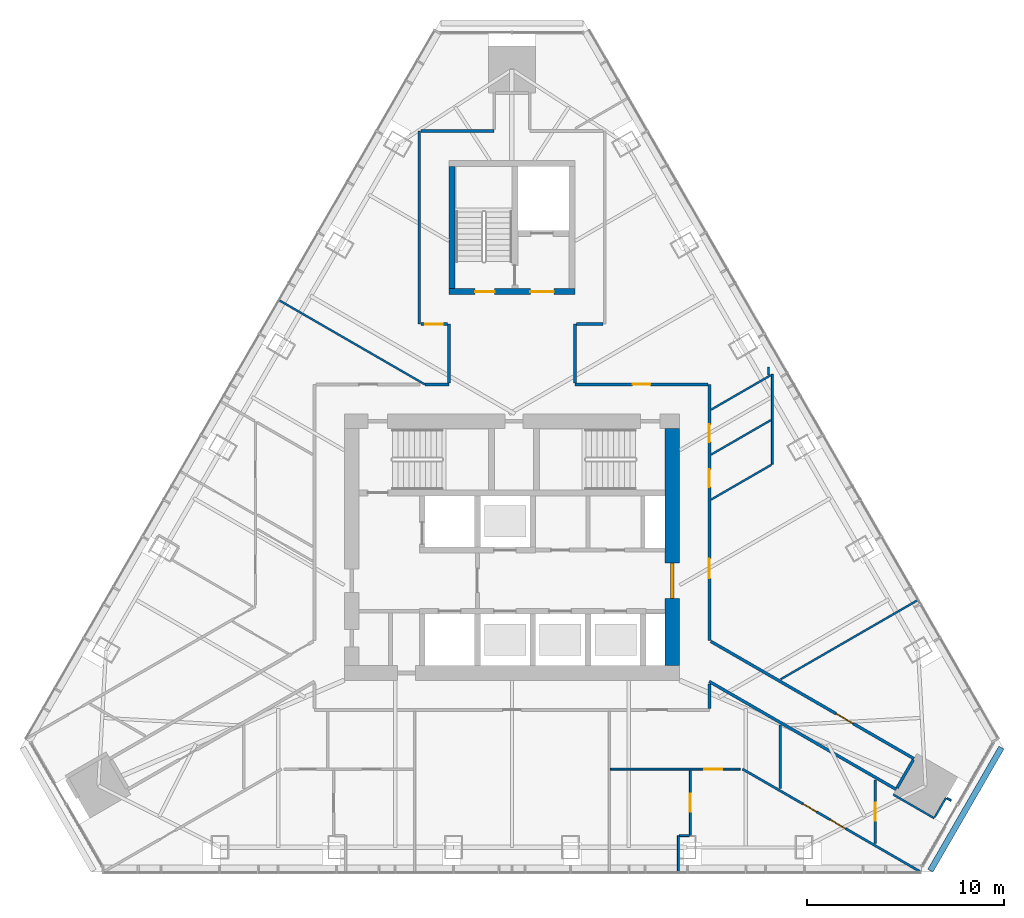
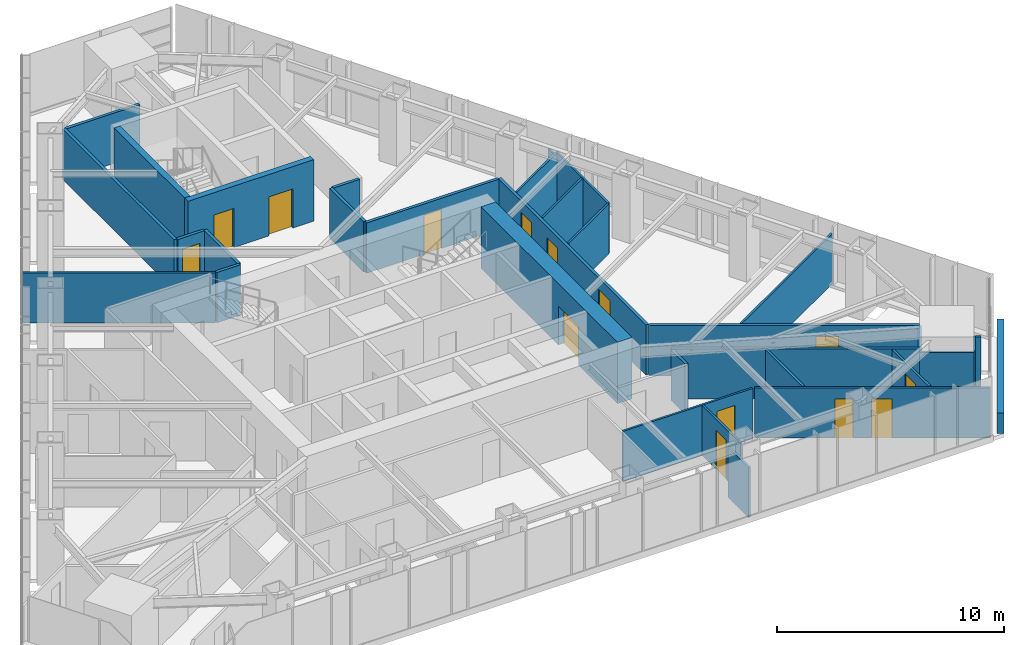
# One storey, part 12 of 15: 34 walls, 14 doors, 14 openings.
"""IFC4 building model written with IfcOpenShell, lengths in metres."""

from ifc_helpers import new_model, si_unit, direction, frame, frame_2d, origin, place, context, subcontext, project, spatial, rectangle, extrude, material, layer, layer_set, type_object, element, fill, save


model = new_model("IFC4")

# Units and contexts
model_context = context("Model", 3, precision=1e-05, world=origin(), true_north=direction((0.0, 1.0)))
body_context = subcontext(model_context, "Body", "Model", "MODEL_VIEW")
ifc_project = project(units=[si_unit("LENGTHUNIT", "METRE"), si_unit("AREAUNIT", "SQUARE_METRE"), si_unit("VOLUMEUNIT", "CUBIC_METRE"), si_unit("PLANEANGLEUNIT", "RADIAN"), si_unit("MASSUNIT", "GRAM", prefix="KILO")], contexts=[model_context])

# Site, building, storey
site_placement = place(None, origin())
site = spatial("IfcSite", under=ifc_project, at=site_placement, CompositionType="ELEMENT")
building_placement = place(site_placement, origin())
building = spatial("IfcBuilding", under=site, at=building_placement, Name="Firuza Gate Tower and Library", CompositionType="ELEMENT")
storey_placement = place(building_placement, frame((0.0, 0.0, 309.10009765625)))
storey = spatial("IfcBuildingStorey", under=building, at=storey_placement, Name="L75", CompositionType="ELEMENT", Elevation=309.10009765625)

# Wall, openings, doors
ifc_material_1 = material(Name="Concrete C60/75", Category="concrete")
ifc_layer_1 = layer(ifc_material_1, 0.300048828125)
ifc_layer_set_1 = layer_set([ifc_layer_1], Name="Core wall 300 C60/75")
wall_type_1 = type_object("IfcWallType", Name="Core wall 300 C60/75", PredefinedType="SHEAR", material=ifc_layer_set_1)
wall_1_placement = place(storey_placement, frame((71.800048828125, 87.949951171875, 0.0), z_axis=(0.0, 0.0, 1.0), x_axis=(1.0, 0.0, 0.0)))
wall_1 = element("IfcWall", 1, at=wall_1_placement, inside=storey, type_object=wall_type_1, Name="Core wall L75 18", PredefinedType="SHEAR", context=body_context, shape_type="SweptSolid", body=[
    extrude(rectangle(XDim=6.39990234375, YDim=0.300048828125, at=frame_2d((3.199951171875, 0.0))), origin(), (0.0, 0.0, 1.0), 3.2998046875),
])
opening_1_placement = place(wall_1_placement, frame((1.324951171875, 0.0, 0.0)))
opening_1 = element("IfcOpeningElement", 2, at=opening_1_placement, cuts=wall_1, Name="Opening L75-K11", PredefinedType="OPENING", context=body_context, shape_type="SweptSolid", body=[
    extrude(rectangle(XDim=1.0, YDim=2.10009765625, at=frame_2d((0.5, 1.050048828125))), frame((0.0, 0.16015625, 0.0), z_axis=(0.0, -1.0, 0.0), x_axis=(1.0, 0.0, 0.0)), (0.0, 0.0, 1.0), 0.320068359375),
])
opening_2_placement = place(wall_1_placement, frame((4.125, 0.0, 0.0)))
opening_2 = element("IfcOpeningElement", 3, at=opening_2_placement, cuts=wall_1, Name="Opening L75-K13", PredefinedType="OPENING", context=body_context, shape_type="SweptSolid", body=[
    extrude(rectangle(XDim=1.199951171875, YDim=2.10009765625, at=frame_2d((0.60009765625, 1.050048828125))), frame((0.0, 0.16015625, 0.0), z_axis=(0.0, -1.0, 0.0), x_axis=(1.0, 0.0, 0.0)), (0.0, 0.0, 1.0), 0.320068359375),
])
ifc_material_2 = material(Name="Steel", Category="steel")
door_type_1 = type_object("IfcDoorType", Name="Fire door 1000x2100 FD90", OperationType="NOTDEFINED", PredefinedType="DOOR", material=ifc_material_2)
door_1_placement = place(opening_1_placement, origin())
door_1 = element("IfcDoor", 4, at=door_1_placement, inside=storey, type_object=door_type_1, Name="Door L75-K11", OperationType="SINGLE_SWING_RIGHT", OverallHeight=2.10009765625, OverallWidth=1.0, PredefinedType="DOOR", context=body_context, shape_type="SweptSolid", body=[
    extrude(rectangle(XDim=1.0, YDim=2.10009765625, at=frame_2d((0.5, 1.050048828125))), frame((0.0, 0.02490234375, 0.0), z_axis=(0.0, -1.0, 0.0), x_axis=(1.0, 0.0, 0.0)), (0.0, 0.0, 1.0), 0.050048828125),
])
fill(opening_1, door_1)
ifc_material_3 = material(Name="Steel", Category="steel")
door_type_2 = type_object("IfcDoorType", Name="Fire door 1200x2100 FD30S", OperationType="NOTDEFINED", PredefinedType="DOOR", material=ifc_material_3)
door_2_placement = place(opening_2_placement, origin())
door_2 = element("IfcDoor", 5, at=door_2_placement, inside=storey, type_object=door_type_2, Name="Door L75-K13", OperationType="SINGLE_SWING_RIGHT", OverallHeight=2.10009765625, OverallWidth=1.199951171875, PredefinedType="DOOR", context=body_context, shape_type="SweptSolid", body=[
    extrude(rectangle(XDim=1.199951171875, YDim=2.10009765625, at=frame_2d((0.60009765625, 1.050048828125))), frame((0.0, 0.02490234375, 0.0), z_axis=(0.0, -1.0, 0.0), x_axis=(1.0, 0.0, 0.0)), (0.0, 0.0, 1.0), 0.050048828125),
])
fill(opening_2, door_2)

# Wall
wall_2_placement = place(storey_placement, frame((71.949951171875, 88.10009765625, 0.0), z_axis=(0.0, 0.0, 1.0), x_axis=(0.0, 1.0, 0.0)))
element("IfcWall", 6, at=wall_2_placement, inside=storey, type_object=wall_type_1, Name="Core wall L75 20", PredefinedType="SHEAR", context=body_context, shape_type="SweptSolid", body=[
    extrude(rectangle(XDim=6.199951171875, YDim=0.300048828125, at=frame_2d((3.10009765625, 0.0))), origin(), (0.0, 0.0, 1.0), 3.2998046875),
])

# Wall, opening, door
ifc_material_4 = material(Name="Concrete C60/75", Category="concrete")
ifc_layer_2 = layer(ifc_material_4, 0.75)
ifc_layer_set_2 = layer_set([ifc_layer_2], Name="Core wall 750 C60/75")
wall_type_2 = type_object("IfcWallType", Name="Core wall 750 C60/75", PredefinedType="SHEAR", material=ifc_layer_set_2)
wall_3_placement = place(storey_placement, frame((83.125, 69.0, 0.0), z_axis=(0.0, 0.0, 1.0), x_axis=(0.0, 1.0, 0.0)))
wall_3 = element("IfcWall", 7, at=wall_3_placement, inside=storey, type_object=wall_type_2, Name="Core wall L75 4", PredefinedType="SHEAR", context=body_context, shape_type="SweptSolid", body=[
    extrude(rectangle(XDim=12.0, YDim=0.75, at=frame_2d((6.0, 0.0))), origin(), (0.0, 0.0, 1.0), 3.2998046875),
])
opening_3_placement = place(wall_3_placement, frame((3.39990234375, 0.0, 0.0)))
opening_3 = element("IfcOpeningElement", 8, at=opening_3_placement, cuts=wall_3, Name="Opening L75-K16", PredefinedType="OPENING", context=body_context, shape_type="SweptSolid", body=[
    extrude(rectangle(XDim=1.800048828125, YDim=2.10009765625, at=frame_2d((0.89990234375, 1.050048828125))), frame((0.0, 0.385009765625, 0.0), z_axis=(0.0, -1.0, 0.0), x_axis=(1.0, 0.0, 0.0)), (0.0, 0.0, 1.0), 0.77001953125),
])
ifc_material_5 = material(Name="Steel", Category="steel")
door_type_3 = type_object("IfcDoorType", Name="Fire door 1800x2100 FD30S", OperationType="NOTDEFINED", PredefinedType="DOOR", material=ifc_material_5)
door_3_placement = place(opening_3_placement, origin())
door_3 = element("IfcDoor", 9, at=door_3_placement, inside=storey, type_object=door_type_3, Name="Door L75-K16", OperationType="SINGLE_SWING_LEFT", OverallHeight=2.10009765625, OverallWidth=1.800048828125, PredefinedType="DOOR", context=body_context, shape_type="SweptSolid", body=[
    extrude(rectangle(XDim=1.800048828125, YDim=2.10009765625, at=frame_2d((0.89990234375, 1.050048828125))), frame((0.0, 0.094970703125, 0.0), z_axis=(0.0, -1.0, 0.0), x_axis=(1.0, 0.0, 0.0)), (0.0, 0.0, 1.0), 0.18994140625),
])
fill(opening_3, door_3)

ifc_material_6 = material(Name="Gypsum board partition")
ifc_layer_3 = layer(ifc_material_6, 0.14990234375)
ifc_layer_set_3 = layer_set([ifc_layer_3], Name="Corridor wall 150 double board on steel studs")
wall_type_3 = type_object("IfcWallType", Name="Corridor wall 150 double board on steel studs", PredefinedType="PARTITIONING", material=ifc_layer_set_3)
wall_4_placement = place(storey_placement, frame((78.199951171875, 83.25, 0.0), z_axis=(0.0, 0.0, 1.0), x_axis=(1.0, 0.0, 0.0)))
wall_4 = element("IfcWall", 10, at=wall_4_placement, inside=storey, type_object=wall_type_3, Name="f:L75:w006", PredefinedType="PARTITIONING", context=body_context, shape_type="SweptSolid", body=[
    extrude(rectangle(XDim=6.72314453125, YDim=0.14990234375, at=frame_2d((3.361572265625, 0.0))), origin(), (0.0, 0.0, 1.0), 2.699951171875),
])
opening_4_placement = place(wall_4_placement, frame((2.911376953125, 0.0, 0.0)))
opening_4 = element("IfcOpeningElement", 11, at=opening_4_placement, cuts=wall_4, Name="Opening L75-07", PredefinedType="OPENING", context=body_context, shape_type="SweptSolid", body=[
    extrude(rectangle(XDim=0.89990234375, YDim=2.10009765625, at=frame_2d((0.449951171875, 1.050048828125))), frame((0.0, 0.0849609375, 0.0), z_axis=(0.0, -1.0, 0.0), x_axis=(1.0, 0.0, 0.0)), (0.0, 0.0, 1.0), 0.169921875),
])
ifc_material_7 = material(Name="Steel door and timber leaf", Category="steel")
door_type_4 = type_object("IfcDoorType", Name="Fire door 900 x 2100 steel frame, timber leaf", OperationType="NOTDEFINED", PredefinedType="DOOR", material=ifc_material_7)
door_4_placement = place(opening_4_placement, origin())
door_4 = element("IfcDoor", 12, at=door_4_placement, inside=storey, type_object=door_type_4, Name="f:L75:d007", OperationType="SINGLE_SWING_RIGHT", OverallHeight=2.10009765625, OverallWidth=0.89990234375, PredefinedType="DOOR", context=body_context, shape_type="SweptSolid", body=[
    extrude(rectangle(XDim=0.89990234375, YDim=2.10009765625, at=frame_2d((0.449951171875, 1.050048828125))), frame((0.0, 0.02490234375, 0.0), z_axis=(0.0, -1.0, 0.0), x_axis=(1.0, 0.0, 0.0)), (0.0, 0.0, 1.0), 0.050048828125),
])
fill(opening_4, door_4)

wall_5_placement = place(storey_placement, frame((70.37548828125, 86.300048828125, 0.0), z_axis=(0.0, 0.0, 1.0), x_axis=(1.0, 0.0, 0.0)))
wall_5 = element("IfcWall", 13, at=wall_5_placement, inside=storey, type_object=wall_type_3, Name="f:L75:w007", PredefinedType="PARTITIONING", context=body_context, shape_type="SweptSolid", body=[
    extrude(rectangle(XDim=1.349365234375, YDim=0.14990234375, at=frame_2d((0.6748046875, 0.0))), origin(), (0.0, 0.0, 1.0), 2.699951171875),
])
opening_5_placement = place(wall_5_placement, frame((0.224609375, 0.0, 0.0)))
opening_5 = element("IfcOpeningElement", 14, at=opening_5_placement, cuts=wall_5, Name="Opening L75-08", PredefinedType="OPENING", context=body_context, shape_type="SweptSolid", body=[
    extrude(rectangle(XDim=0.89990234375, YDim=2.10009765625, at=frame_2d((0.449951171875, 1.050048828125))), frame((0.0, 0.0849609375, 0.0), z_axis=(0.0, -1.0, 0.0), x_axis=(1.0, 0.0, 0.0)), (0.0, 0.0, 1.0), 0.169921875),
])
door_5_placement = place(opening_5_placement, origin())
door_5 = element("IfcDoor", 15, at=door_5_placement, inside=storey, type_object=door_type_4, Name="f:L75:d008", OperationType="SINGLE_SWING_LEFT", OverallHeight=2.10009765625, OverallWidth=0.89990234375, PredefinedType="DOOR", context=body_context, shape_type="SweptSolid", body=[
    extrude(rectangle(XDim=0.89990234375, YDim=2.10009765625, at=frame_2d((0.449951171875, 1.050048828125))), frame((0.0, 0.02490234375, 0.0), z_axis=(0.0, -1.0, 0.0), x_axis=(1.0, 0.0, 0.0)), (0.0, 0.0, 1.0), 0.050048828125),
])
fill(opening_5, door_5)

# Walls
wall_6_placement = place(storey_placement, frame((78.275146484375, 86.300048828125, 0.0), z_axis=(0.0, 0.0, 1.0), x_axis=(1.0, 0.0, 0.0)))
element("IfcWall", 16, at=wall_6_placement, inside=storey, type_object=wall_type_3, Name="f:L75:w008", PredefinedType="PARTITIONING", context=body_context, shape_type="SweptSolid", body=[
    extrude(rectangle(XDim=1.347900390625, YDim=0.14990234375, at=frame_2d((0.673828125, 0.0))), origin(), (0.0, 0.0, 1.0), 2.699951171875),
])
wall_7_placement = place(storey_placement, frame((70.37548828125, 96.10009765625, 0.0), z_axis=(0.0, 0.0, 1.0), x_axis=(1.0, 0.0, 0.0)))
element("IfcWall", 17, at=wall_7_placement, inside=storey, type_object=wall_type_3, Name="f:L75:w009", PredefinedType="PARTITIONING", context=body_context, shape_type="SweptSolid", body=[
    extrude(rectangle(XDim=3.724609375, YDim=0.14990234375, at=frame_2d((1.8623046875, 0.0))), origin(), (0.0, 0.0, 1.0), 2.699951171875),
])
wall_8_placement = place(storey_placement, frame((94.512451171875, 62.788330078125, 0.0), z_axis=(0.0, 0.0, 1.0), x_axis=(0.500052415518, 0.865995139556, 0.0)))
element("IfcWall", 18, at=wall_8_placement, inside=storey, type_object=wall_type_3, Name="f:L75:w023", PredefinedType="PARTITIONING", context=body_context, shape_type="SweptSolid", body=[
    extrude(rectangle(XDim=1.643798828125, YDim=0.14990234375, at=frame_2d((0.82177734375, 0.0))), origin(), (0.0, 0.0, 1.0), 2.697021484375),
])
wall_9_placement = place(storey_placement, frame((85.0, 66.824951171875, 0.0), z_axis=(0.0, 0.0, 1.0), x_axis=(0.0, 1.0, 0.0)))
element("IfcWall", 19, at=wall_9_placement, inside=storey, type_object=wall_type_3, Name="f:L75:w030", PredefinedType="PARTITIONING", context=body_context, shape_type="SweptSolid", body=[
    extrude(rectangle(XDim=1.225830078125, YDim=0.14990234375, at=frame_2d((0.61279296875, 0.0))), origin(), (0.0, 0.0, 1.0), 2.697021484375),
])

# Wall, openings, doors
wall_10_placement = place(storey_placement, frame((85.0, 83.248046875, 0.0), z_axis=(0.0, 0.0, 1.0), x_axis=(0.0, -1.0, 0.0)))
wall_10 = element("IfcWall", 20, at=wall_10_placement, inside=storey, type_object=wall_type_3, Name="f:L75:w031", PredefinedType="PARTITIONING", context=body_context, shape_type="SweptSolid", body=[
    extrude(rectangle(XDim=12.982421875, YDim=0.14990234375, at=frame_2d((6.4912109375, 0.0))), origin(), (0.0, 0.0, 1.0), 2.699951171875),
])
opening_6_placement = place(wall_10_placement, frame((2.024169921875, 0.0, 0.0)))
opening_6 = element("IfcOpeningElement", 21, at=opening_6_placement, cuts=wall_10, Name="Opening L75-15", PredefinedType="OPENING", context=body_context, shape_type="SweptSolid", body=[
    extrude(rectangle(XDim=0.89990234375, YDim=2.10009765625, at=frame_2d((0.449951171875, 1.050048828125))), frame((0.0, 0.0849609375, 0.0), z_axis=(0.0, -1.0, 0.0), x_axis=(1.0, 0.0, 0.0)), (0.0, 0.0, 1.0), 0.169921875),
])
opening_7_placement = place(wall_10_placement, frame((4.302734375, 0.0, 0.0)))
opening_7 = element("IfcOpeningElement", 22, at=opening_7_placement, cuts=wall_10, Name="Opening L75-16", PredefinedType="OPENING", context=body_context, shape_type="SweptSolid", body=[
    extrude(rectangle(XDim=0.89990234375, YDim=2.10009765625, at=frame_2d((0.449951171875, 1.050048828125))), frame((0.0, 0.0849609375, 0.0), z_axis=(0.0, -1.0, 0.0), x_axis=(1.0, 0.0, 0.0)), (0.0, 0.0, 1.0), 0.169921875),
])
opening_8_placement = place(wall_10_placement, frame((8.835693359375, 0.0, 0.0)))
opening_8 = element("IfcOpeningElement", 23, at=opening_8_placement, cuts=wall_10, Name="Opening L75-17", PredefinedType="OPENING", context=body_context, shape_type="SweptSolid", body=[
    extrude(rectangle(XDim=1.0, YDim=2.10009765625, at=frame_2d((0.5, 1.050048828125))), frame((0.0, 0.0849609375, 0.0), z_axis=(0.0, -1.0, 0.0), x_axis=(1.0, 0.0, 0.0)), (0.0, 0.0, 1.0), 0.169921875),
])
ifc_material_8 = material(Name="Steel door and timber leaf", Category="steel")
door_type_5 = type_object("IfcDoorType", Name="Fire door 1000 x 2100 steel frame, timber leaf", OperationType="NOTDEFINED", PredefinedType="DOOR", material=ifc_material_8)
door_6_placement = place(opening_8_placement, origin())
door_6 = element("IfcDoor", 24, at=door_6_placement, inside=storey, type_object=door_type_5, Name="f:L75:d017", OperationType="SINGLE_SWING_RIGHT", OverallHeight=2.10009765625, OverallWidth=1.0, PredefinedType="DOOR", context=body_context, shape_type="SweptSolid", body=[
    extrude(rectangle(XDim=1.0, YDim=2.10009765625, at=frame_2d((0.5, 1.050048828125))), frame((0.0, 0.02490234375, 0.0), z_axis=(0.0, -1.0, 0.0), x_axis=(1.0, 0.0, 0.0)), (0.0, 0.0, 1.0), 0.050048828125),
])
fill(opening_8, door_6)
door_7_placement = place(opening_6_placement, origin())
door_7 = element("IfcDoor", 25, at=door_7_placement, inside=storey, type_object=door_type_4, Name="f:L75:d015", OperationType="SINGLE_SWING_RIGHT", OverallHeight=2.10009765625, OverallWidth=0.89990234375, PredefinedType="DOOR", context=body_context, shape_type="SweptSolid", body=[
    extrude(rectangle(XDim=0.89990234375, YDim=2.10009765625, at=frame_2d((0.449951171875, 1.050048828125))), frame((0.0, 0.02490234375, 0.0), z_axis=(0.0, -1.0, 0.0), x_axis=(1.0, 0.0, 0.0)), (0.0, 0.0, 1.0), 0.050048828125),
])
fill(opening_6, door_7)
door_8_placement = place(opening_7_placement, origin())
door_8 = element("IfcDoor", 26, at=door_8_placement, inside=storey, type_object=door_type_4, Name="f:L75:d016", OperationType="SINGLE_SWING_LEFT", OverallHeight=2.10009765625, OverallWidth=0.89990234375, PredefinedType="DOOR", context=body_context, shape_type="SweptSolid", body=[
    extrude(rectangle(XDim=0.89990234375, YDim=2.10009765625, at=frame_2d((0.449951171875, 1.050048828125))), frame((0.0, 0.02490234375, 0.0), z_axis=(0.0, -1.0, 0.0), x_axis=(1.0, 0.0, 0.0)), (0.0, 0.0, 1.0), 0.050048828125),
])
fill(opening_7, door_8)

# Walls
for number, where, z_axis, x_axis, name in (
    (27, (78.199951171875, 83.324951171875, 0.0), (0.0, 0.0, 1.0), (0.0, 1.0, 0.0), "f:L75:w036"),
    (28, (71.800048828125, 83.324951171875, 0.0), (0.0, 0.0, 1.0), (0.0, 1.0, 0.0), "f:L75:w039"),
):
    element("IfcWall", number, at=place(storey_placement, frame(where, z_axis=z_axis, x_axis=x_axis)), inside=storey, type_object=wall_type_3, Name=name, PredefinedType="PARTITIONING", context=body_context, shape_type="SweptSolid", body=[
        extrude(rectangle(XDim=2.97509765625, YDim=0.14990234375, at=frame_2d((1.487548828125, 0.0))), origin(), (0.0, 0.0, 1.0), 2.699951171875),
    ])
wall_11_placement = place(storey_placement, frame((70.300048828125, 86.300537109375, 0.0), z_axis=(0.0, 0.0, 1.0), x_axis=(0.0, 1.0, 0.0)))
element("IfcWall", 29, at=wall_11_placement, inside=storey, type_object=wall_type_3, Name="f:L75:w040", PredefinedType="PARTITIONING", context=body_context, shape_type="SweptSolid", body=[
    extrude(rectangle(XDim=9.798828125, YDim=0.14990234375, at=frame_2d((4.8994140625, 0.0))), origin(), (0.0, 0.0, 1.0), 2.699951171875),
])

# Wall, opening, door
wall_12_placement = place(storey_placement, frame((85.074951171875, 70.222412109375, 0.0), z_axis=(0.0, 0.0, 1.0), x_axis=(0.866032051089, -0.499988486354, 0.0)))
wall_12 = element("IfcWall", 30, at=wall_12_placement, inside=storey, type_object=wall_type_3, Name="f:L75:w052", PredefinedType="PARTITIONING", context=body_context, shape_type="SweptSolid", body=[
    extrude(rectangle(XDim=11.889404296875, YDim=0.14990234375, at=frame_2d((5.94482421875, 0.0))), origin(), (0.0, 0.0, 1.0), 2.699951171875),
])
opening_9_placement = place(wall_12_placement, frame((7.326416015625, 0.0, 0.0)))
opening_9 = element("IfcOpeningElement", 31, at=opening_9_placement, cuts=wall_12, Name="Opening L75-22", PredefinedType="OPENING", context=body_context, shape_type="SweptSolid", body=[
    extrude(rectangle(XDim=1.0, YDim=2.10009765625, at=frame_2d((0.5, 1.050048828125))), frame((0.0, 0.0849609375, 0.0), z_axis=(0.0, -1.0, 0.0), x_axis=(1.0, 0.0, 0.0)), (0.0, 0.0, 1.0), 0.169921875),
])
door_9_placement = place(opening_9_placement, origin())
door_9 = element("IfcDoor", 32, at=door_9_placement, inside=storey, type_object=door_type_5, Name="f:L75:d022", OperationType="SINGLE_SWING_LEFT", OverallHeight=2.10009765625, OverallWidth=1.0, PredefinedType="DOOR", context=body_context, shape_type="SweptSolid", body=[
    extrude(rectangle(XDim=1.0, YDim=2.10009765625, at=frame_2d((0.5, 1.050048828125))), frame((0.0, 0.02490234375, 0.0), z_axis=(0.0, -1.0, 0.0), x_axis=(1.0, 0.0, 0.0)), (0.0, 0.0, 1.0), 0.050048828125),
])
fill(opening_9, door_9)

# Walls
wall_13_placement = place(storey_placement, frame((94.471923828125, 62.71875, 0.0), z_axis=(0.0, 0.0, 1.0), x_axis=(-0.866029834468, 0.499992325753, 0.0)))
element("IfcWall", 33, at=wall_13_placement, inside=storey, type_object=wall_type_3, Name="f:L75:w054", PredefinedType="PARTITIONING", context=body_context, shape_type="SweptSolid", body=[
    extrude(rectangle(XDim=10.937255859375, YDim=0.14990234375, at=frame_2d((5.46875, 0.0))), origin(), (0.0, 0.0, 1.0), 2.697021484375),
])
wall_14_placement = place(storey_placement, frame((70.60205078125, 83.25, 0.0), z_axis=(0.0, 0.0, 1.0), x_axis=(1.0, 0.0, 0.0)))
element("IfcWall", 34, at=wall_14_placement, inside=storey, type_object=wall_type_3, Name="f:L75:w065", PredefinedType="PARTITIONING", context=body_context, shape_type="SweptSolid", body=[
    extrude(rectangle(XDim=1.197998046875, YDim=0.14990234375, at=frame_2d((0.59912109375, 0.0))), origin(), (0.0, 0.0, 1.0), 2.699951171875),
])
ifc_material_9 = material(Name="Gypsum board partition")
ifc_layer_4 = layer(ifc_material_9, 0.10009765625)
ifc_layer_set_4 = layer_set([ifc_layer_4], Name="Partition 100 gypsum board on steel studs")
wall_type_4 = type_object("IfcWallType", Name="Partition 100 gypsum board on steel studs", PredefinedType="PARTITIONING", material=ifc_layer_set_4)
wall_15_placement = place(storey_placement, frame((83.48046875, 60.3798828125, 0.0), z_axis=(0.0, 0.0, 1.0), x_axis=(1.0, 0.0, 0.0)))
element("IfcWall", 35, at=wall_15_placement, inside=storey, type_object=wall_type_4, Name="f:L75:w001", PredefinedType="PARTITIONING", context=body_context, shape_type="SweptSolid", body=[
    extrude(rectangle(XDim=0.509033203125, YDim=0.10009765625, at=frame_2d((0.25439453125, 0.0))), origin(), (0.0, 0.0, 1.0), 2.699951171875),
])

# Wall, opening, door
wall_16_placement = place(storey_placement, frame((86.565673828125, 63.75, 0.0), z_axis=(0.0, 0.0, 1.0), x_axis=(-1.0, 0.0, 0.0)))
wall_16 = element("IfcWall", 36, at=wall_16_placement, inside=storey, type_object=wall_type_4, Name="f:L75:w003", PredefinedType="PARTITIONING", context=body_context, shape_type="SweptSolid", body=[
    extrude(rectangle(XDim=6.582275390625, YDim=0.10009765625, at=frame_2d((3.291015625, 0.0))), origin(), (0.0, 0.0, 1.0), 2.699951171875),
])
opening_10_placement = place(wall_16_placement, frame((0.91259765625, 0.0, 0.0)))
opening_10 = element("IfcOpeningElement", 37, at=opening_10_placement, cuts=wall_16, Name="Opening L75-03", PredefinedType="OPENING", context=body_context, shape_type="SweptSolid", body=[
    extrude(rectangle(XDim=0.89990234375, YDim=2.10009765625, at=frame_2d((0.449951171875, 1.050048828125))), frame((0.0, 0.06005859375, 0.0), z_axis=(0.0, -1.0, 0.0), x_axis=(1.0, 0.0, 0.0)), (0.0, 0.0, 1.0), 0.1201171875),
])
ifc_material_10 = material(Name="Timber door", Category="wood")
door_type_6 = type_object("IfcDoorType", Name="Door 900 x 2100 timber leaf", OperationType="NOTDEFINED", PredefinedType="DOOR", material=ifc_material_10)
door_10_placement = place(opening_10_placement, origin())
door_10 = element("IfcDoor", 38, at=door_10_placement, inside=storey, type_object=door_type_6, Name="f:L75:d003", OperationType="SINGLE_SWING_RIGHT", OverallHeight=2.10009765625, OverallWidth=0.89990234375, PredefinedType="DOOR", context=body_context, shape_type="SweptSolid", body=[
    extrude(rectangle(XDim=0.89990234375, YDim=2.10009765625, at=frame_2d((0.449951171875, 1.050048828125))), frame((0.0, 0.02490234375, 0.0), z_axis=(0.0, -1.0, 0.0), x_axis=(1.0, 0.0, 0.0)), (0.0, 0.0, 1.0), 0.050048828125),
])
fill(opening_10, door_10)

# Walls
wall_17_placement = place(storey_placement, frame((88.611083984375, 68.297607421875, 0.0), z_axis=(0.0, 0.0, 1.0), x_axis=(0.866017435768, 0.500013800756, 0.0)))
element("IfcWall", 39, at=wall_17_placement, inside=storey, type_object=wall_type_4, Name="f:L75:w012", PredefinedType="PARTITIONING", context=body_context, shape_type="SweptSolid", body=[
    extrude(rectangle(XDim=8.003173828125, YDim=0.10009765625, at=frame_2d((4.00146484375, 0.0))), origin(), (0.0, 0.0, 1.0), 2.68798828125),
])
wall_18_placement = place(storey_placement, frame((85.100830078125, 77.4140625, 0.0), z_axis=(0.0, 0.0, 1.0), x_axis=(0.866041242935, 0.499972564782, 0.0)))
element("IfcWall", 40, at=wall_18_placement, inside=storey, type_object=wall_type_4, Name="f:L75:w014", PredefinedType="PARTITIONING", context=body_context, shape_type="SweptSolid", body=[
    extrude(rectangle(XDim=3.520751953125, YDim=0.10009765625, at=frame_2d((1.76025390625, 0.0))), origin(), (0.0, 0.0, 1.0), 2.699951171875),
])
wall_19_placement = place(storey_placement, frame((85.10107421875, 79.6923828125, 0.0), z_axis=(0.0, 0.0, 1.0), x_axis=(0.866017863565, 0.500013059815, 0.0)))
element("IfcWall", 41, at=wall_19_placement, inside=storey, type_object=wall_type_4, Name="f:L75:w015", PredefinedType="PARTITIONING", context=body_context, shape_type="SweptSolid", body=[
    extrude(rectangle(XDim=3.49072265625, YDim=0.10009765625, at=frame_2d((1.745361328125, 0.0))), origin(), (0.0, 0.0, 1.0), 2.699951171875),
])
wall_20_placement = place(storey_placement, frame((85.100830078125, 81.971435546875, 0.0), z_axis=(0.0, 0.0, 1.0), x_axis=(0.866017863565, 0.500013059815, 0.0)))
element("IfcWall", 42, at=wall_20_placement, inside=storey, type_object=wall_type_4, Name="f:L75:w018", PredefinedType="PARTITIONING", context=body_context, shape_type="SweptSolid", body=[
    extrude(rectangle(XDim=3.49072265625, YDim=0.10009765625, at=frame_2d((1.745361328125, 0.0))), origin(), (0.0, 0.0, 1.0), 2.68798828125),
])
wall_21_placement = place(storey_placement, frame((96.42578125, 61.302490234375, 0.0), z_axis=(0.0, 0.0, 1.0), x_axis=(0.499955427682, 0.866051136095, 0.0)))
element("IfcWall", 43, at=wall_21_placement, inside=storey, type_object=wall_type_4, Name="f:L75:w022", PredefinedType="PARTITIONING", context=body_context, shape_type="SweptSolid", body=[
    extrude(rectangle(XDim=1.14892578125, YDim=0.10009765625, at=frame_2d((0.574462890625, 0.0))), origin(), (0.0, 0.0, 1.0), 2.699951171875),
])
wall_22_placement = place(storey_placement, frame((88.199951171875, 79.203125, 0.0), z_axis=(0.0, 0.0, 1.0), x_axis=(0.0, 1.0, 0.0)))
element("IfcWall", 44, at=wall_22_placement, inside=storey, type_object=wall_type_4, Name="f:L75:w028", PredefinedType="PARTITIONING", context=body_context, shape_type="SweptSolid", body=[
    extrude(rectangle(XDim=4.55712890625, YDim=0.10009765625, at=frame_2d((2.278564453125, 0.0))), origin(), (0.0, 0.0, 1.0), 2.68798828125),
])
wall_23_placement = place(storey_placement, frame((88.0, 83.732666015625, 0.0), z_axis=(0.0, 0.0, 1.0), x_axis=(0.0, 1.0, 0.0)))
element("IfcWall", 45, at=wall_23_placement, inside=storey, type_object=wall_type_4, Name="f:L75:w029", PredefinedType="PARTITIONING", context=body_context, shape_type="SweptSolid", body=[
    extrude(rectangle(XDim=0.389892578125, YDim=0.10009765625, at=frame_2d((0.19482421875, 0.0))), origin(), (0.0, 0.0, 1.0), 2.699951171875),
])

# Wall, opening, door
wall_24_placement = place(storey_placement, frame((84.0400390625, 60.380859375, 0.0), z_axis=(0.0, 0.0, 1.0), x_axis=(0.0, 1.0, 0.0)))
wall_24 = element("IfcWall", 46, at=wall_24_placement, inside=storey, type_object=wall_type_4, Name="f:L75:w032", PredefinedType="PARTITIONING", context=body_context, shape_type="SweptSolid", body=[
    extrude(rectangle(XDim=3.319091796875, YDim=0.10009765625, at=frame_2d((1.65966796875, 0.0))), origin(), (0.0, 0.0, 1.0), 2.699951171875),
])
opening_11_placement = place(wall_24_placement, frame((1.20947265625, 0.0, 0.0)))
opening_11 = element("IfcOpeningElement", 47, at=opening_11_placement, cuts=wall_24, Name="Opening L75-18", PredefinedType="OPENING", context=body_context, shape_type="SweptSolid", body=[
    extrude(rectangle(XDim=0.89990234375, YDim=2.10009765625, at=frame_2d((0.449951171875, 1.050048828125))), frame((0.0, 0.06005859375, 0.0), z_axis=(0.0, -1.0, 0.0), x_axis=(1.0, 0.0, 0.0)), (0.0, 0.0, 1.0), 0.1201171875),
])
door_11_placement = place(opening_11_placement, origin())
door_11 = element("IfcDoor", 48, at=door_11_placement, inside=storey, type_object=door_type_6, Name="f:L75:d018", OperationType="SINGLE_SWING_LEFT", OverallHeight=2.10009765625, OverallWidth=0.89990234375, PredefinedType="DOOR", context=body_context, shape_type="SweptSolid", body=[
    extrude(rectangle(XDim=0.89990234375, YDim=2.10009765625, at=frame_2d((0.449951171875, 1.050048828125))), frame((0.0, 0.02490234375, 0.0), z_axis=(0.0, -1.0, 0.0), x_axis=(1.0, 0.0, 0.0)), (0.0, 0.0, 1.0), 0.050048828125),
])
fill(opening_11, door_11)

# Walls
wall_25_placement = place(storey_placement, frame((83.429931640625, 58.560302734375, 0.0), z_axis=(0.0, 0.0, 1.0), x_axis=(0.0, 1.0, 0.0)))
element("IfcWall", 49, at=wall_25_placement, inside=storey, type_object=wall_type_4, Name="f:L75:w033", PredefinedType="PARTITIONING", context=body_context, shape_type="SweptSolid", body=[
    extrude(rectangle(XDim=1.819580078125, YDim=0.10009765625, at=frame_2d((0.90966796875, 0.0))), origin(), (0.0, 0.0, 1.0), 2.68798828125),
])
wall_26_placement = place(storey_placement, frame((70.5771484375, 83.249755859375, 0.0), z_axis=(0.0, 0.0, 1.0), x_axis=(-0.866024577697, 0.500001430823, 0.0)))
element("IfcWall", 50, at=wall_26_placement, inside=storey, type_object=wall_type_4, Name="f:L75:w051", PredefinedType="PARTITIONING", context=body_context, shape_type="SweptSolid", body=[
    extrude(rectangle(XDim=8.484375, YDim=0.10009765625, at=frame_2d((4.2421875, 0.0))), origin(), (0.0, 0.0, 1.0), 2.68798828125),
])
wall_27_placement = place(storey_placement, frame((97.26025390625, 62.148193359375, 0.0), z_axis=(0.0, 0.0, 1.0), x_axis=(-0.866006330792, 0.500033033937, 0.0)))
element("IfcWall", 51, at=wall_27_placement, inside=storey, type_object=wall_type_4, Name="f:L75:w053", PredefinedType="PARTITIONING", context=body_context, shape_type="SweptSolid", body=[
    extrude(rectangle(XDim=0.24951171875, YDim=0.10009765625, at=frame_2d((0.124755859375, 0.0))), origin(), (0.0, 0.0, 1.0), 2.699951171875),
])
wall_28_placement = place(storey_placement, frame((96.39990234375, 61.25927734375, 0.0), z_axis=(0.0, 0.0, 1.0), x_axis=(-0.866011011868, 0.500024926702, 0.0)))
element("IfcWall", 52, at=wall_28_placement, inside=storey, type_object=wall_type_4, Name="f:L75:w056", PredefinedType="PARTITIONING", context=body_context, shape_type="SweptSolid", body=[
    extrude(rectangle(XDim=2.39892578125, YDim=0.10009765625, at=frame_2d((1.199462890625, 0.0))), origin(), (0.0, 0.0, 1.0), 2.699951171875),
])
ifc_material_11 = material(Name="Concrete C40/50", Category="concrete")
ifc_layer_5 = layer(ifc_material_11, 0.300048828125)
ifc_layer_set_5 = layer_set([ifc_layer_5], Name="Terrace parapet 300")
wall_type_5 = type_object("IfcWallType", Name="Terrace parapet 300", PredefinedType="PARAPET", material=ifc_layer_set_5)
wall_29_placement = place(storey_placement, frame((96.2060546875, 58.599853515625, 0.0), z_axis=(0.0, 0.0, 1.0), x_axis=(0.500012057535, 0.866018442252, 0.0)))
element("IfcWall", 53, at=wall_29_placement, inside=storey, type_object=wall_type_5, Name="Parapet L75 5", PredefinedType="PARAPET", context=body_context, shape_type="SweptSolid", body=[
    extrude(rectangle(XDim=7.199951171875, YDim=0.300048828125, at=frame_2d((3.60009765625, 0.0))), origin(), (0.0, 0.0, 1.0), 1.099853515625),
])

# Wall, opening, door
ifc_material_12 = material(Name="Gypsum board partition")
ifc_layer_6 = layer(ifc_material_12, 0.1201171875)
ifc_layer_set_6 = layer_set([ifc_layer_6], Name="Wet-area partition 120 moisture-resistant board")
wall_type_6 = type_object("IfcWallType", Name="Wet-area partition 120 moisture-resistant board", PredefinedType="PARTITIONING", material=ifc_layer_set_6)
wall_30_placement = place(storey_placement, frame((93.407958984375, 59.978271484375, 0.0), z_axis=(0.0, 0.0, 1.0), x_axis=(0.0, 1.0, 0.0)))
wall_30 = element("IfcWall", 54, at=wall_30_placement, inside=storey, type_object=wall_type_6, Name="f:L75:w026", PredefinedType="PARTITIONING", context=body_context, shape_type="SweptSolid", body=[
    extrude(rectangle(XDim=3.22802734375, YDim=0.1201171875, at=frame_2d((1.614013671875, 0.0))), origin(), (0.0, 0.0, 1.0), 2.699951171875),
])
opening_12_placement = place(wall_30_placement, frame((1.1640625, 0.0, 0.0)))
opening_12 = element("IfcOpeningElement", 55, at=opening_12_placement, cuts=wall_30, Name="Opening L75-14", PredefinedType="OPENING", context=body_context, shape_type="SweptSolid", body=[
    extrude(rectangle(XDim=0.89990234375, YDim=2.10009765625, at=frame_2d((0.449951171875, 1.050048828125))), frame((0.0, 0.070068359375, 0.0), z_axis=(0.0, -1.0, 0.0), x_axis=(1.0, 0.0, 0.0)), (0.0, 0.0, 1.0), 0.14013671875),
])
door_12_placement = place(opening_12_placement, origin())
door_12 = element("IfcDoor", 56, at=door_12_placement, inside=storey, type_object=door_type_6, Name="f:L75:d014", OperationType="SINGLE_SWING_LEFT", OverallHeight=2.10009765625, OverallWidth=0.89990234375, PredefinedType="DOOR", context=body_context, shape_type="SweptSolid", body=[
    extrude(rectangle(XDim=0.89990234375, YDim=2.10009765625, at=frame_2d((0.449951171875, 1.050048828125))), frame((0.0, 0.02490234375, 0.0), z_axis=(0.0, -1.0, 0.0), x_axis=(1.0, 0.0, 0.0)), (0.0, 0.0, 1.0), 0.050048828125),
])
fill(opening_12, door_12)

# Wall
wall_31_placement = place(storey_placement, frame((88.596923828125, 62.755859375, 0.0), z_axis=(0.0, 0.0, 1.0), x_axis=(0.0, 1.0, 0.0)))
element("IfcWall", 57, at=wall_31_placement, inside=storey, type_object=wall_type_6, Name="f:L75:w027", PredefinedType="PARTITIONING", context=body_context, shape_type="SweptSolid", body=[
    extrude(rectangle(XDim=3.228271484375, YDim=0.1201171875, at=frame_2d((1.6142578125, 0.0))), origin(), (0.0, 0.0, 1.0), 2.697021484375),
])

# Wall, openings, doors
wall_32_placement = place(storey_placement, frame((86.685546875, 63.75, 0.0), z_axis=(0.0, 0.0, 1.0), x_axis=(0.866030084385, -0.499991892875, 0.0)))
wall_32 = element("IfcWall", 58, at=wall_32_placement, inside=storey, type_object=wall_type_6, Name="f:L75:w057", PredefinedType="PARTITIONING", context=body_context, shape_type="SweptSolid", body=[
    extrude(rectangle(XDim=10.379638671875, YDim=0.1201171875, at=frame_2d((5.18994140625, 0.0))), origin(), (0.0, 0.0, 1.0), 2.699951171875),
])
opening_13_placement = place(wall_32_placement, frame((3.534423828125, 0.0, 0.0)))
opening_13 = element("IfcOpeningElement", 59, at=opening_13_placement, cuts=wall_32, Name="Opening L75-23", PredefinedType="OPENING", context=body_context, shape_type="SweptSolid", body=[
    extrude(rectangle(XDim=0.800048828125, YDim=2.10009765625, at=frame_2d((0.39990234375, 1.050048828125))), frame((0.0, 0.070068359375, 0.0), z_axis=(0.0, -1.0, 0.0), x_axis=(1.0, 0.0, 0.0)), (0.0, 0.0, 1.0), 0.14013671875),
])
opening_14_placement = place(wall_32_placement, frame((5.134521484375, 0.0, 0.0)))
opening_14 = element("IfcOpeningElement", 60, at=opening_14_placement, cuts=wall_32, Name="Opening L75-24", PredefinedType="OPENING", context=body_context, shape_type="SweptSolid", body=[
    extrude(rectangle(XDim=0.89990234375, YDim=2.10009765625, at=frame_2d((0.449951171875, 1.050048828125))), frame((0.0, 0.070068359375, 0.0), z_axis=(0.0, -1.0, 0.0), x_axis=(1.0, 0.0, 0.0)), (0.0, 0.0, 1.0), 0.14013671875),
])
ifc_material_13 = material(Name="Timber door", Category="wood")
door_type_7 = type_object("IfcDoorType", Name="Door 800 x 2100 timber leaf", OperationType="NOTDEFINED", PredefinedType="DOOR", material=ifc_material_13)
door_13_placement = place(opening_13_placement, origin())
door_13 = element("IfcDoor", 61, at=door_13_placement, inside=storey, type_object=door_type_7, Name="f:L75:d023", OperationType="SINGLE_SWING_RIGHT", OverallHeight=2.10009765625, OverallWidth=0.800048828125, PredefinedType="DOOR", context=body_context, shape_type="SweptSolid", body=[
    extrude(rectangle(XDim=0.800048828125, YDim=2.10009765625, at=frame_2d((0.39990234375, 1.050048828125))), frame((0.0, 0.02490234375, 0.0), z_axis=(0.0, -1.0, 0.0), x_axis=(1.0, 0.0, 0.0)), (0.0, 0.0, 1.0), 0.050048828125),
])
fill(opening_13, door_13)
door_14_placement = place(opening_14_placement, origin())
door_14 = element("IfcDoor", 62, at=door_14_placement, inside=storey, type_object=door_type_6, Name="f:L75:d024", OperationType="SINGLE_SWING_LEFT", OverallHeight=2.10009765625, OverallWidth=0.89990234375, PredefinedType="DOOR", context=body_context, shape_type="SweptSolid", body=[
    extrude(rectangle(XDim=0.89990234375, YDim=2.10009765625, at=frame_2d((0.449951171875, 1.050048828125))), frame((0.0, 0.02490234375, 0.0), z_axis=(0.0, -1.0, 0.0), x_axis=(1.0, 0.0, 0.0)), (0.0, 0.0, 1.0), 0.050048828125),
])
fill(opening_14, door_14)

save(model, "model.ifc")
